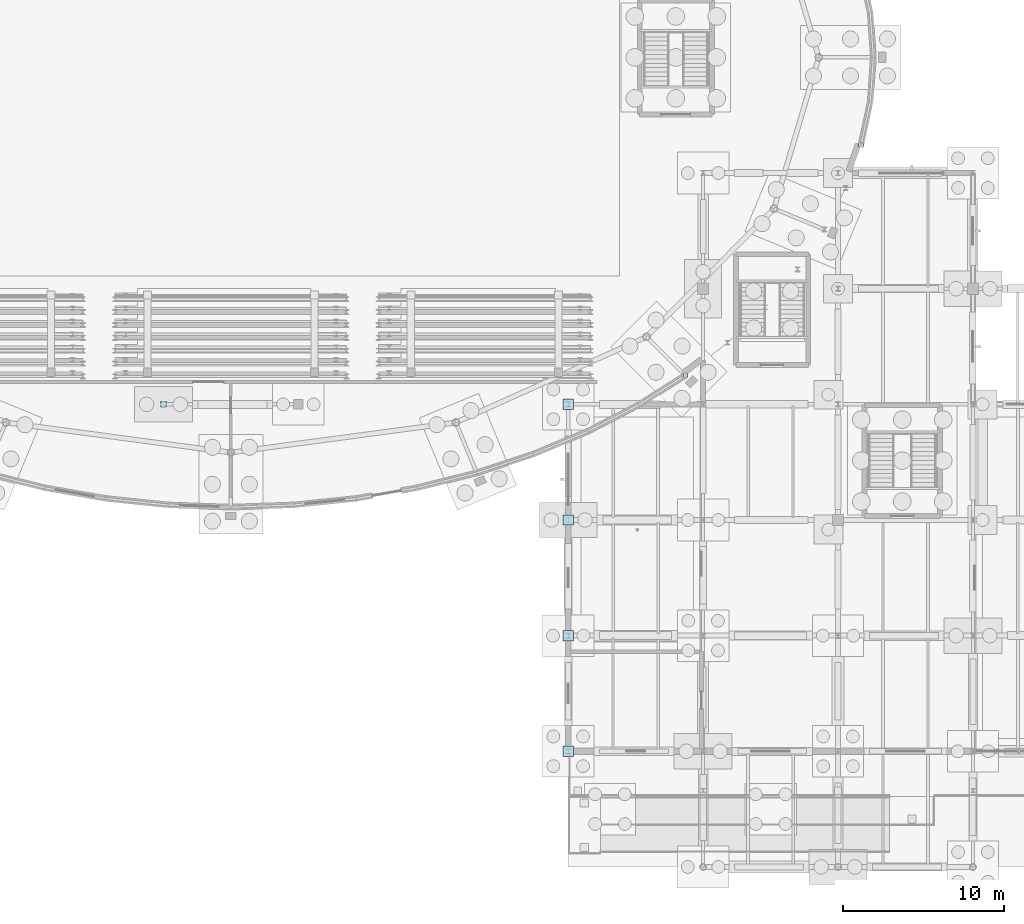
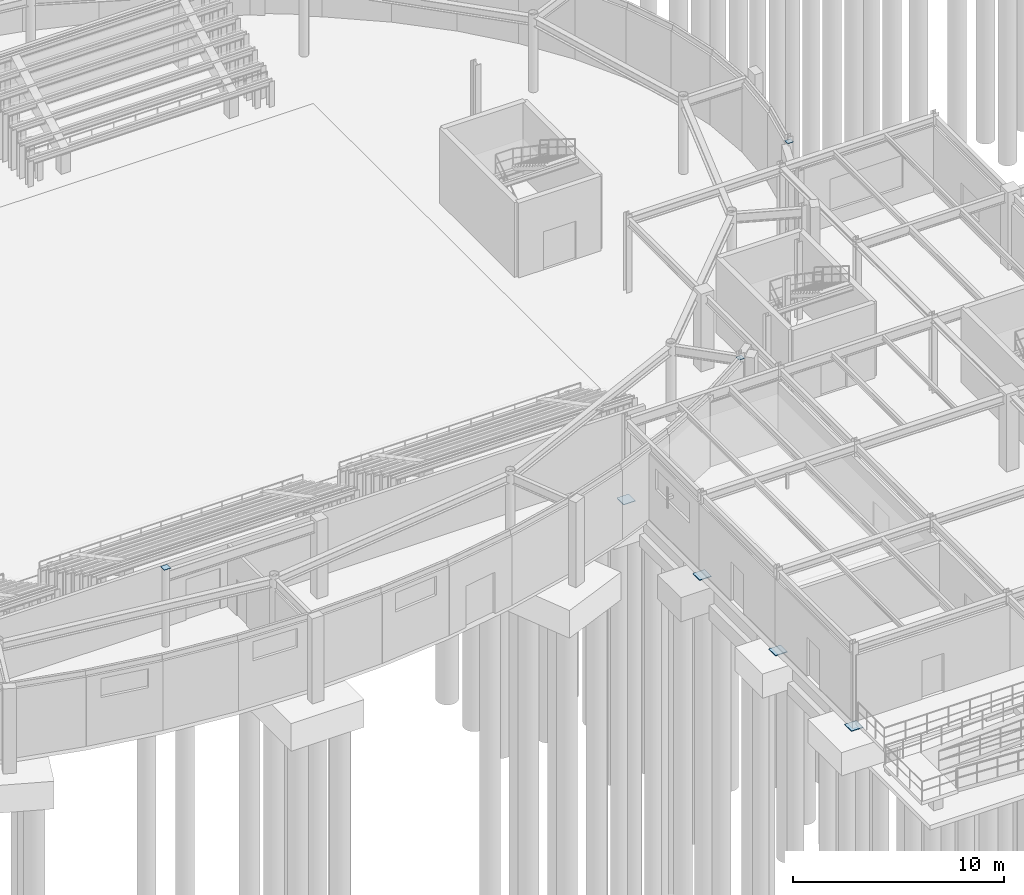
# One storey, part 50 of 93: 7 plates.
"""IFC4 building model written with IfcOpenShell, lengths in metres."""

from ifc_helpers import new_model, si_unit, derived_unit, direction, frame, origin, origin_2d, place, context, subcontext, project, spatial, rectangle, extrude, material, layer, layer_set, type_object, element, save


model = new_model("IFC4")

# Units and contexts
model_context = context("Model", 3, precision=1e-05, world=origin(), true_north=direction((0.0, 1.0)))
body_context = subcontext(model_context, "Body", "Model", "MODEL_VIEW")
ifc_project = project(units=[si_unit("LENGTHUNIT", "METRE"), si_unit("AREAUNIT", "SQUARE_METRE"), si_unit("VOLUMEUNIT", "CUBIC_METRE"), si_unit("PLANEANGLEUNIT", "RADIAN"), si_unit("MASSUNIT", "GRAM", prefix="KILO"), derived_unit("THERMALTRANSMITTANCEUNIT", [(si_unit("MASSUNIT", "GRAM", prefix="KILO"), 1), (si_unit("TIMEUNIT", "SECOND"), -3), (si_unit("THERMODYNAMICTEMPERATUREUNIT", "KELVIN"), -1)])], contexts=[model_context])

# Site, building, storey
site_placement = place(None, origin())
site = spatial("IfcSite", under=ifc_project, at=site_placement, CompositionType="ELEMENT")
building_placement = place(site_placement, origin())
building = spatial("IfcBuilding", under=site, at=building_placement, Name="Kharveza Railside Sports Centre", CompositionType="ELEMENT")
storey_placement = place(building_placement, origin())
storey = spatial("IfcBuildingStorey", under=building, at=storey_placement, Name="L00", CompositionType="ELEMENT", Elevation=0.0)

# Plates
ifc_material = material(Name="Steel S355J2", Category="steel")
ifc_layer_1 = layer(ifc_material, 0.02001953125, Name="Steel S355J2")
ifc_layer_set_1 = layer_set([ifc_layer_1], Name="Steel S355J2")
plate_type_1 = type_object("IfcPlateType", Name="PL-EC02", PredefinedType="USERDEFINED", material=ifc_layer_set_1)
plate_placement = place(storey_placement, frame((50.39990234375, 28.800048828125, 4.489990234375), z_axis=(0.0, 0.0, 1.0), x_axis=(1.0, 0.0, 0.0)))
element("IfcPlate", 1, at=plate_placement, inside=storey, type_object=plate_type_1, Name="PLT-EC-004", ObjectType="END_CAP_PLATE", PredefinedType="USERDEFINED", context=body_context, shape_type="SweptSolid", body=[
    extrude(rectangle(XDim=0.35595703125, YDim=0.35595703125, at=origin_2d()), origin(), (0.0, 0.0, 1.0), 0.02001953125),
])
ifc_layer_2 = layer(ifc_material, 0.02001953125, Name="Steel S355J2")
ifc_layer_set_2 = layer_set([ifc_layer_2], Name="Steel S355J2")
plate_type_2 = type_object("IfcPlateType", Name="PL-EC04", PredefinedType="USERDEFINED", material=ifc_layer_set_2)
for number, where, z_axis, x_axis, name in (
    (2, (82.88427734375, 30.60107421875, 4.14990234375), (0.0, 0.0, 1.0), (1.0, 0.0, 0.0), "PLT-EC-016"),
    (3, (93.831298828125, 44.9375, 4.14990234375), (0.0, 0.0, 1.0), (1.0, 0.0, 0.0), "PLT-EC-019"),
):
    element("IfcPlate", number, at=place(storey_placement, frame(where, z_axis=z_axis, x_axis=x_axis)), inside=storey, type_object=plate_type_2, Name=name, ObjectType="END_CAP_PLATE", PredefinedType="USERDEFINED", context=body_context, shape_type="SweptSolid", body=[
        extrude(rectangle(XDim=0.300048828125, YDim=0.300048828125, at=origin_2d()), origin(), (0.0, 0.0, 1.0), 0.02001953125),
    ])
ifc_layer_3 = layer(ifc_material, 0.034912109375, Name="Steel S355J2")
ifc_layer_set_3 = layer_set([ifc_layer_3], Name="Steel S355J2")
plate_type_3 = type_object("IfcPlateType", Name="PL-GS06", PredefinedType="USERDEFINED", material=ifc_layer_set_3)
for number, where, z_axis, x_axis, name in (
    (4, (75.60009765625, 7.199951171875, -0.419921875), (0.0, 0.0, 1.0), (1.0, 0.0, 0.0), "PLT-BP-21"),
    (5, (75.60009765625, 14.39990234375, -0.419921875), (0.0, 0.0, 1.0), (1.0, 0.0, 0.0), "PLT-BP-22"),
    (6, (75.60009765625, 21.60009765625, -0.419921875), (0.0, 0.0, 1.0), (1.0, 0.0, 0.0), "PLT-BP-23"),
    (7, (75.60009765625, 28.800048828125, -0.419921875), (0.0, 0.0, 1.0), (1.0, 0.0, 0.0), "PLT-BP-24"),
):
    element("IfcPlate", number, at=place(storey_placement, frame(where, z_axis=z_axis, x_axis=x_axis)), inside=storey, type_object=plate_type_3, Name=name, ObjectType="GUSSET_PLATE", PredefinedType="USERDEFINED", context=body_context, shape_type="SweptSolid", body=[
        extrude(rectangle(XDim=0.64990234375, YDim=0.64990234375, at=origin_2d()), origin(), (0.0, 0.0, 1.0), 0.034912109375),
    ])

save(model, "model.ifc")
